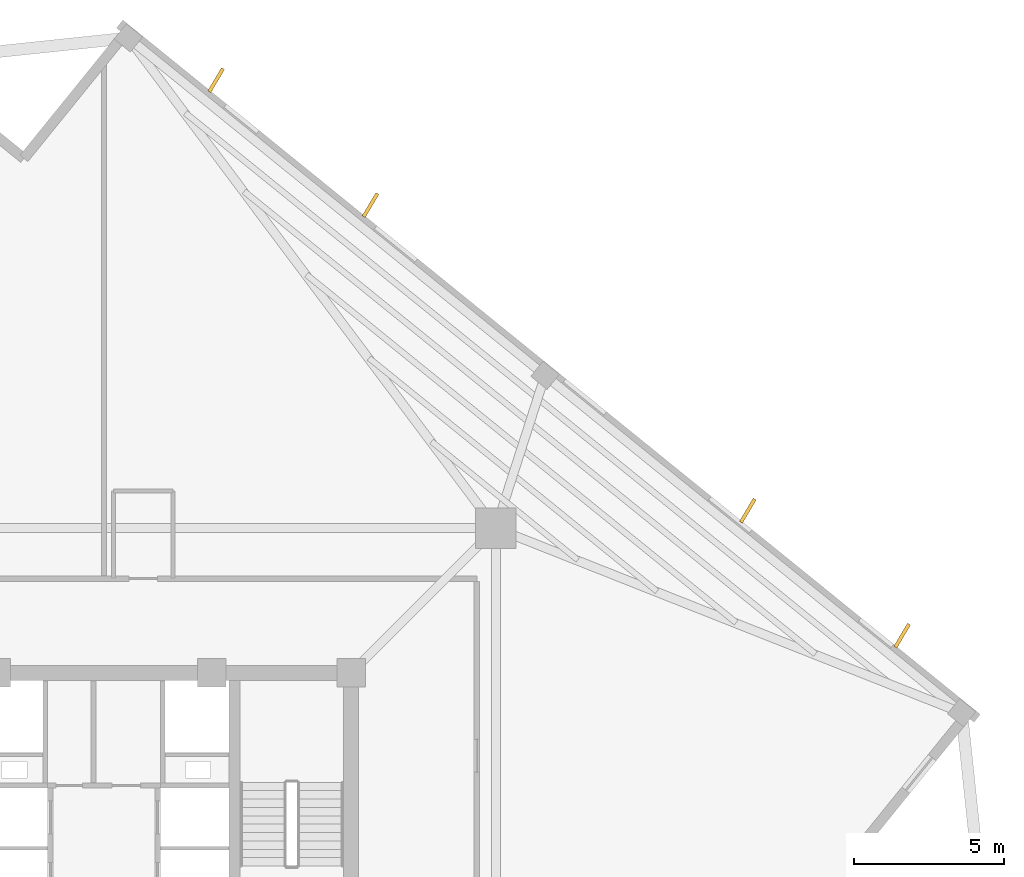
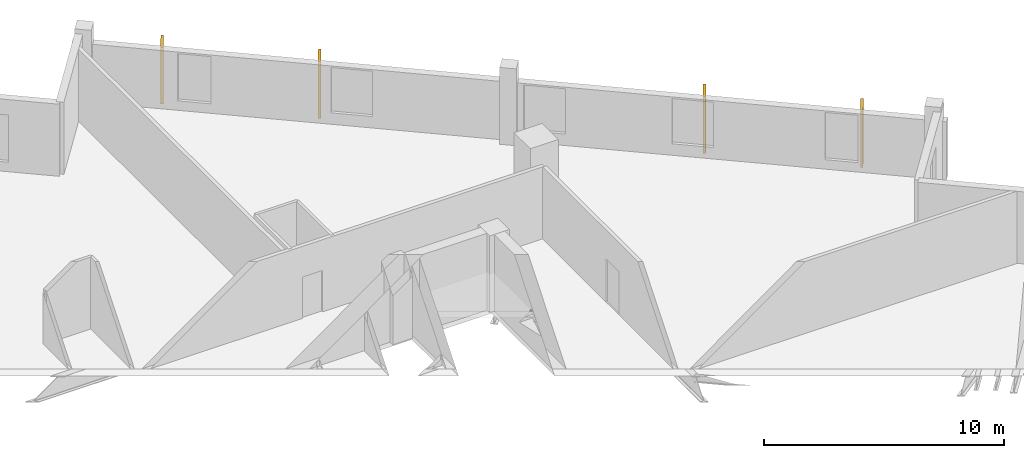
# One storey, part 9 of 9: 4 coverings.
"""IFC4 building model written with IfcOpenShell, lengths in metres."""

import ifcopenshell
import ifcopenshell.guid

model = None  # the IFC model being written
_history = None  # IfcOwnerHistory: only IFC2X3 demands one
_inside = {}  # id of a spatial element -> (the spatial element, [elements in it])
_under = {}  # id of a project, library or spatial element -> (it, [spatial elements below it])
_declared = {}  # id of a project -> (the project, [libraries it declares])
_typed = {}  # id of a type object -> (the type object, [elements of that type])
_made_of = {}  # id of a material, layer set ... -> (it, [elements and type objects made of it])


def new_model(schema):
    """Start an empty IFC model of exactly this schema.

    Asked for "IFC4X3", IfcOpenShell would pick the latest addendum, in which some entities
    have other attributes; the version numbers below select the first issue.
    IFC2X3 requires an IfcOwnerHistory on every rooted entity: one is made here for all.
    """
    global model, _history
    if schema == "IFC4X3":
        model = ifcopenshell.file(schema_version=(4, 3, 0, 0))
    else:
        model = ifcopenshell.file(schema=schema)
    _inside.clear()
    _under.clear()
    _declared.clear()
    _typed.clear()
    _made_of.clear()
    _history = None
    if model.schema == "IFC2X3":
        org = make("IfcOrganization", Name="unknown")
        user = make(
            "IfcPersonAndOrganization",
            ThePerson=make("IfcPerson", FamilyName="unknown"),
            TheOrganization=org,
        )
        app = make(
            "IfcApplication",
            ApplicationDeveloper=org,
            Version="unknown",
            ApplicationFullName="unknown",
            ApplicationIdentifier="unknown",
        )
        _history = make(
            "IfcOwnerHistory",
            OwningUser=user,
            OwningApplication=app,
            ChangeAction="ADDED",
            CreationDate=0,
        )
    return model


def make(cls, **values):
    """One entity of the class cls with the attributes given. An attribute that is None is left unset."""
    return model.create_entity(
        cls, **{name: value for name, value in values.items() if value is not None}
    )


def rooted(cls, **values):
    """An entity with a GlobalId (a new one), such as an element, a storey or a relation."""
    return make(cls, GlobalId=ifcopenshell.guid.new(), OwnerHistory=_history, **values)


def si_unit(unit_type, name, prefix=None):
    """IfcSIUnit, for example si_unit("LENGTHUNIT", "METRE", prefix="MILLI")."""
    return make("IfcSIUnit", UnitType=unit_type, Prefix=prefix, Name=name)


def assignment(units):
    """IfcUnitAssignment: the units of a project."""
    return None if units is None else make("IfcUnitAssignment", Units=units)


def point(xyz):
    """IfcCartesianPoint."""
    return None if xyz is None else make("IfcCartesianPoint", Coordinates=xyz)


def direction(xyz):
    """IfcDirection."""
    return None if xyz is None else make("IfcDirection", DirectionRatios=xyz)


def frame(location, z_axis=None, x_axis=None):
    """IfcAxis2Placement3D, a coordinate frame: its origin and axes. An axis left out is left unset."""
    return make(
        "IfcAxis2Placement3D",
        Location=point(location),
        Axis=direction(z_axis),
        RefDirection=direction(x_axis),
    )


def frame_2d(location, x_axis=None):
    """IfcAxis2Placement2D, a coordinate frame in the plane: its origin and x axis."""
    return make(
        "IfcAxis2Placement2D", Location=point(location), RefDirection=direction(x_axis)
    )


def origin():
    """The frame at (0, 0, 0) with its axes left unset."""
    return frame((0.0, 0.0, 0.0))


def origin_2d():
    """The frame at (0, 0) in the plane with its x axis left unset."""
    return frame_2d((0.0, 0.0))


def place(relative_to, where):
    """IfcLocalPlacement: puts the frame where relative to a parent placement (None: the world)."""
    return make(
        "IfcLocalPlacement", PlacementRelTo=relative_to, RelativePlacement=where
    )


def context(
    kind, dimensions, precision=None, world=None, true_north=None, identifier=None
):
    """IfcGeometricRepresentationContext, for example the 3D "Model" context."""
    return make(
        "IfcGeometricRepresentationContext",
        ContextIdentifier=identifier,
        ContextType=kind,
        CoordinateSpaceDimension=dimensions,
        Precision=precision,
        WorldCoordinateSystem=world,
        TrueNorth=true_north,
    )


def subcontext(parent, identifier, kind, view, scale=None):
    """IfcGeometricRepresentationSubContext, for example "Body" below "Model"."""
    return make(
        "IfcGeometricRepresentationSubContext",
        ContextIdentifier=identifier,
        ContextType=kind,
        ParentContext=parent,
        TargetScale=scale,
        TargetView=view,
    )


def project(units=None, contexts=None):
    """IfcProject with its units and contexts."""
    return rooted(
        "IfcProject",
        Name="project",
        RepresentationContexts=contexts,
        UnitsInContext=assignment(units),
    )


def spatial(cls, under=None, at=None, **own):
    """A site, building, storey or space (cls), placed at a placement, below another one or the project."""
    s = rooted(cls, ObjectPlacement=at, **own)
    if under is not None:
        _under.setdefault(under.id(), (under, []))[1].append(s)
    return s


def profile(cls, at=None, kind="AREA", **sizes):
    """A parametric profile (cls). Its sizes go by their IFC names, for example OverallWidth=200.0."""
    return make(cls, ProfileType=kind, Position=at, **sizes)


def rectangle(**sizes):
    """IfcRectangleProfileDef."""
    return profile("IfcRectangleProfileDef", **sizes)


def extrude(swept, where, along, depth):
    """IfcExtrudedAreaSolid: the profile swept, set in the frame where, extruded along a direction by depth."""
    return make(
        "IfcExtrudedAreaSolid",
        SweptArea=swept,
        Position=where,
        ExtrudedDirection=direction(along),
        Depth=depth,
    )


def shape(context_of_items, identifier, shape_type, items):
    """IfcShapeRepresentation: the items that make up one representation, for example the "Body"."""
    return make(
        "IfcShapeRepresentation",
        ContextOfItems=context_of_items,
        RepresentationIdentifier=identifier,
        RepresentationType=shape_type,
        Items=items,
    )


def source(mapping_origin, context_of_items, identifier, shape_type, items):
    """IfcRepresentationMap: a shape defined once, which mapped items show again and again."""
    return make(
        "IfcRepresentationMap",
        MappingOrigin=mapping_origin,
        MappedRepresentation=shape(context_of_items, identifier, shape_type, items),
    )


def transform(
    local_origin,
    x_axis=None,
    y_axis=None,
    z_axis=None,
    scale=None,
    scale2=None,
    scale3=None,
    uniform=True,
):
    """IfcCartesianTransformationOperator3D, or its non-uniform kind. x_axis, y_axis, z_axis: its Axis1, 2, 3."""
    if uniform:
        return make(
            "IfcCartesianTransformationOperator3D",
            Axis1=direction(x_axis),
            Axis2=direction(y_axis),
            LocalOrigin=point(local_origin),
            Scale=scale,
            Axis3=direction(z_axis),
        )
    return make(
        "IfcCartesianTransformationOperator3DnonUniform",
        Axis1=direction(x_axis),
        Axis2=direction(y_axis),
        LocalOrigin=point(local_origin),
        Scale=scale,
        Axis3=direction(z_axis),
        Scale2=scale2,
        Scale3=scale3,
    )


def mapped(mapping_source, mapping_target):
    """IfcMappedItem: shows the shape of a source again, moved by a transform."""
    return make(
        "IfcMappedItem", MappingSource=mapping_source, MappingTarget=mapping_target
    )


def material(Name=None, Category=None):
    """IfcMaterial."""
    return make("IfcMaterial", Name=Name, Category=Category)


def layer(
    of_material, thickness, ventilated=None, Name=None, Category=None, Priority=None
):
    """IfcMaterialLayer: one layer of a wall or slab, of a material (None: an air gap)."""
    return make(
        "IfcMaterialLayer",
        Material=of_material,
        LayerThickness=thickness,
        IsVentilated=ventilated,
        Name=Name,
        Category=Category,
        Priority=Priority,
    )


def layer_set(layers, Name=None):
    """IfcMaterialLayerSet."""
    return make("IfcMaterialLayerSet", MaterialLayers=layers, LayerSetName=Name)


def made_of(thing, what):
    """Note that an element or type object is made of a material, layer set ...; save() writes the relation."""
    if what is not None:
        _made_of.setdefault(what.id(), (what, []))[1].append(thing)
    return thing


def type_object(cls, material=None, **own):
    """A type object (cls), such as IfcWallType, which elements share."""
    return made_of(rooted(cls, **own), material)


def element(
    cls,
    number,
    at=None,
    inside=None,
    cuts=None,
    type_object=None,
    material=None,
    context=None,
    identifier="Body",
    shape_type=None,
    held_by="IfcProductDefinitionShape",
    body=None,
    shapes=None,
    **own,
):
    """One element of the class cls, such as IfcWall. Its Tag is "e" and its number.

    at: its placement. inside: the storey or other place that contains it. cuts: it is an
    opening in that element (IfcRelVoidsElement). A single representation is given by context,
    identifier, shape_type and body (its items); several are given by shapes. held_by: the class
    of the entity that holds the representations. save() writes the other relations.
    """
    e = rooted(cls, Tag="e%d" % number, ObjectPlacement=at, **own)
    if body is not None:
        shapes = [shape(context, identifier, shape_type, body)]
    if shapes is not None:
        e.Representation = make(held_by, Representations=shapes)
    if inside is not None:
        _inside.setdefault(inside.id(), (inside, []))[1].append(e)
    if cuts is not None:
        rooted(
            "IfcRelVoidsElement", RelatingBuildingElement=cuts, RelatedOpeningElement=e
        )
    if type_object is not None:
        _typed.setdefault(type_object.id(), (type_object, []))[1].append(e)
    return made_of(e, material)


def aggregate(whole, parts):
    """IfcRelAggregates: a whole, such as a stair, and the parts it consists of."""
    return rooted("IfcRelAggregates", RelatingObject=whole, RelatedObjects=parts)


def save(model, path):
    """Write the relations noted so far, then the file.

    IfcRelAggregates (storeys below a building ...), IfcRelContainedInSpatialStructure (elements
    in a storey), IfcRelDefinesByType, IfcRelAssociatesMaterial and IfcRelDeclares: one each for
    every whole, place, type object, material and project.
    """
    for whole, parts in _under.values():
        aggregate(whole, parts)
    for where, things in _inside.values():
        rooted(
            "IfcRelContainedInSpatialStructure",
            RelatedElements=things,
            RelatingStructure=where,
        )
    for kind, things in _typed.values():
        rooted("IfcRelDefinesByType", RelatedObjects=things, RelatingType=kind)
    for what, things in _made_of.values():
        rooted("IfcRelAssociatesMaterial", RelatedObjects=things, RelatingMaterial=what)
    for by, libraries in _declared.values():
        rooted("IfcRelDeclares", RelatingContext=by, RelatedDefinitions=libraries)
    model.write(path)


model = new_model("IFC4")

# Units and contexts
model_context = context("Model", 3, precision=1e-05, world=origin(), true_north=direction((0.0, 1.0)))
body_context = subcontext(model_context, "Body", "Model", "MODEL_VIEW")
ifc_project = project(units=[si_unit("LENGTHUNIT", "METRE"), si_unit("AREAUNIT", "SQUARE_METRE"), si_unit("VOLUMEUNIT", "CUBIC_METRE"), si_unit("PLANEANGLEUNIT", "RADIAN"), si_unit("MASSUNIT", "GRAM", prefix="KILO"), si_unit("THERMODYNAMICTEMPERATUREUNIT", "KELVIN")], contexts=[model_context])

# Site, building, storey
site_placement = place(None, origin())
site = spatial("IfcSite", under=ifc_project, at=site_placement, CompositionType="ELEMENT")
building_placement = place(site_placement, origin())
building = spatial("IfcBuilding", under=site, at=building_placement, Name="Kosmvard Interchange Tower", CompositionType="ELEMENT")
storey_placement = place(building_placement, frame((0.0, 0.0, 244.60009765625)))
storey = spatial("IfcBuildingStorey", under=building, at=storey_placement, Name="L59", CompositionType="ELEMENT", Elevation=244.60009765625)

# Coverings
ifc_material = material(Name="Architectural anodised aluminium", Category="aluminium")
ifc_layer = layer(ifc_material, 0.1201171875, Name="Architectural anodised aluminium")
ifc_layer_set = layer_set([ifc_layer], Name="Architectural anodised aluminium")
covering_type = type_object("IfcCoveringType", Name="Rotating Vertical Sun-Breaker Fin 900x120 Aluminium", PredefinedType="CLADDING", material=ifc_layer_set)
shared_shape = source(origin(), body_context, "Body", "SweptSolid", [
    extrude(rectangle(XDim=0.89990234375, YDim=0.1201171875, at=origin_2d()), origin(), (0.0, 0.0, 1.0), 2.8798828125),
])
for number, where, z_axis, x_axis, name in (
    (1, (26.650146484375, 9.494384765625, 0.0400390625), (0.0, 0.0, 1.0), (0.509942503415, 0.860208488223, 0.0), "L59 Rotating Vertical Sun-Breaker Fin 05"),
    (2, (21.49658203125, 13.66748046875, 0.0400390625), (0.0, 0.0, 1.0), (0.509942503415, 0.860208488223, 0.0), "L59 Rotating Vertical Sun-Breaker Fin 06"),
    (3, (8.8994140625, 23.86865234375, 0.0400390625), (0.0, 0.0, 1.0), (0.509942503415, 0.860208488223, 0.0), "L59 Rotating Vertical Sun-Breaker Fin 07"),
    (4, (3.74609375, 28.041748046875, 0.0400390625), (0.0, 0.0, 1.0), (0.509942503415, 0.860208488223, 0.0), "L59 Rotating Vertical Sun-Breaker Fin 08"),
):
    element("IfcCovering", number, at=place(storey_placement, frame(where, z_axis=z_axis, x_axis=x_axis)), inside=storey, type_object=covering_type, Name=name, PredefinedType="CLADDING", context=body_context, shape_type="MappedRepresentation", body=[
        mapped(shared_shape, transform((0.0, 0.0, 0.0), scale=1.0)),
    ])

save(model, "model.ifc")
